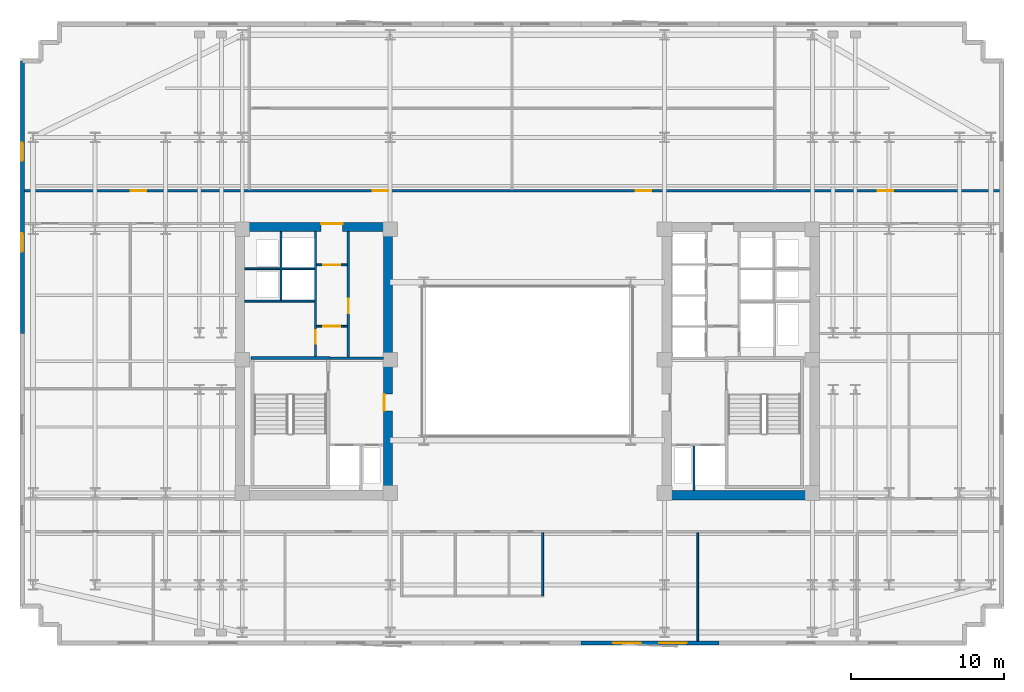
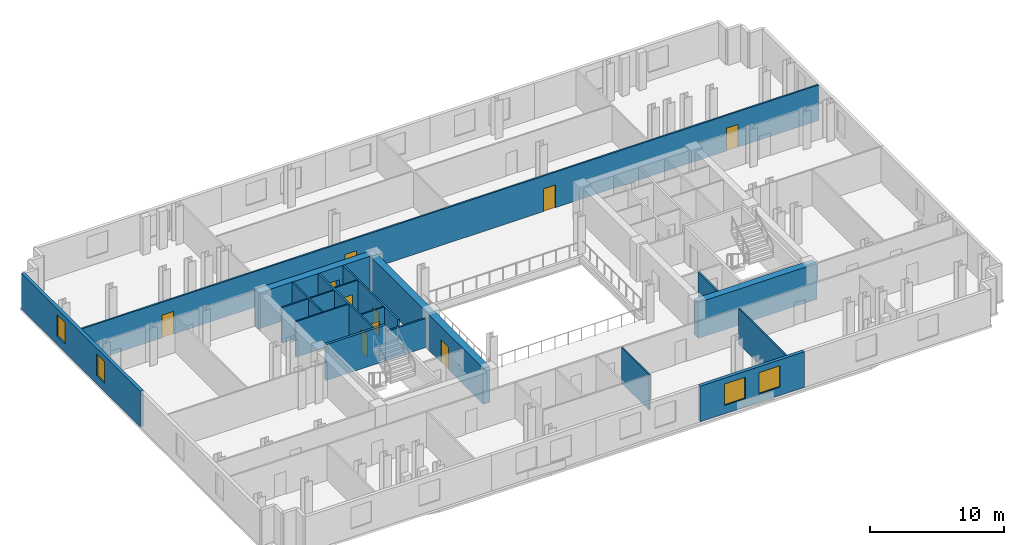
# One storey, part 5 of 10: 19 walls, 10 doors, 4 windows, 14 openings.
"""IFC4 building model written with IfcOpenShell, lengths in metres."""

import ifcopenshell
import ifcopenshell.guid

model = None  # the IFC model being written
_history = None  # IfcOwnerHistory: only IFC2X3 demands one
_inside = {}  # id of a spatial element -> (the spatial element, [elements in it])
_under = {}  # id of a project, library or spatial element -> (it, [spatial elements below it])
_declared = {}  # id of a project -> (the project, [libraries it declares])
_typed = {}  # id of a type object -> (the type object, [elements of that type])
_made_of = {}  # id of a material, layer set ... -> (it, [elements and type objects made of it])


def new_model(schema):
    """Start an empty IFC model of exactly this schema.

    Asked for "IFC4X3", IfcOpenShell would pick the latest addendum, in which some entities
    have other attributes; the version numbers below select the first issue.
    IFC2X3 requires an IfcOwnerHistory on every rooted entity: one is made here for all.
    """
    global model, _history
    if schema == "IFC4X3":
        model = ifcopenshell.file(schema_version=(4, 3, 0, 0))
    else:
        model = ifcopenshell.file(schema=schema)
    _inside.clear()
    _under.clear()
    _declared.clear()
    _typed.clear()
    _made_of.clear()
    _history = None
    if model.schema == "IFC2X3":
        org = make("IfcOrganization", Name="unknown")
        user = make(
            "IfcPersonAndOrganization",
            ThePerson=make("IfcPerson", FamilyName="unknown"),
            TheOrganization=org,
        )
        app = make(
            "IfcApplication",
            ApplicationDeveloper=org,
            Version="unknown",
            ApplicationFullName="unknown",
            ApplicationIdentifier="unknown",
        )
        _history = make(
            "IfcOwnerHistory",
            OwningUser=user,
            OwningApplication=app,
            ChangeAction="ADDED",
            CreationDate=0,
        )
    return model


def make(cls, **values):
    """One entity of the class cls with the attributes given. An attribute that is None is left unset."""
    return model.create_entity(
        cls, **{name: value for name, value in values.items() if value is not None}
    )


def rooted(cls, **values):
    """An entity with a GlobalId (a new one), such as an element, a storey or a relation."""
    return make(cls, GlobalId=ifcopenshell.guid.new(), OwnerHistory=_history, **values)


def si_unit(unit_type, name, prefix=None):
    """IfcSIUnit, for example si_unit("LENGTHUNIT", "METRE", prefix="MILLI")."""
    return make("IfcSIUnit", UnitType=unit_type, Prefix=prefix, Name=name)


def assignment(units):
    """IfcUnitAssignment: the units of a project."""
    return None if units is None else make("IfcUnitAssignment", Units=units)


def point(xyz):
    """IfcCartesianPoint."""
    return None if xyz is None else make("IfcCartesianPoint", Coordinates=xyz)


def direction(xyz):
    """IfcDirection."""
    return None if xyz is None else make("IfcDirection", DirectionRatios=xyz)


def frame(location, z_axis=None, x_axis=None):
    """IfcAxis2Placement3D, a coordinate frame: its origin and axes. An axis left out is left unset."""
    return make(
        "IfcAxis2Placement3D",
        Location=point(location),
        Axis=direction(z_axis),
        RefDirection=direction(x_axis),
    )


def frame_2d(location, x_axis=None):
    """IfcAxis2Placement2D, a coordinate frame in the plane: its origin and x axis."""
    return make(
        "IfcAxis2Placement2D", Location=point(location), RefDirection=direction(x_axis)
    )


def origin():
    """The frame at (0, 0, 0) with its axes left unset."""
    return frame((0.0, 0.0, 0.0))


def place(relative_to, where):
    """IfcLocalPlacement: puts the frame where relative to a parent placement (None: the world)."""
    return make(
        "IfcLocalPlacement", PlacementRelTo=relative_to, RelativePlacement=where
    )


def context(
    kind, dimensions, precision=None, world=None, true_north=None, identifier=None
):
    """IfcGeometricRepresentationContext, for example the 3D "Model" context."""
    return make(
        "IfcGeometricRepresentationContext",
        ContextIdentifier=identifier,
        ContextType=kind,
        CoordinateSpaceDimension=dimensions,
        Precision=precision,
        WorldCoordinateSystem=world,
        TrueNorth=true_north,
    )


def subcontext(parent, identifier, kind, view, scale=None):
    """IfcGeometricRepresentationSubContext, for example "Body" below "Model"."""
    return make(
        "IfcGeometricRepresentationSubContext",
        ContextIdentifier=identifier,
        ContextType=kind,
        ParentContext=parent,
        TargetScale=scale,
        TargetView=view,
    )


def project(units=None, contexts=None):
    """IfcProject with its units and contexts."""
    return rooted(
        "IfcProject",
        Name="project",
        RepresentationContexts=contexts,
        UnitsInContext=assignment(units),
    )


def spatial(cls, under=None, at=None, **own):
    """A site, building, storey or space (cls), placed at a placement, below another one or the project."""
    s = rooted(cls, ObjectPlacement=at, **own)
    if under is not None:
        _under.setdefault(under.id(), (under, []))[1].append(s)
    return s


def profile(cls, at=None, kind="AREA", **sizes):
    """A parametric profile (cls). Its sizes go by their IFC names, for example OverallWidth=200.0."""
    return make(cls, ProfileType=kind, Position=at, **sizes)


def rectangle(**sizes):
    """IfcRectangleProfileDef."""
    return profile("IfcRectangleProfileDef", **sizes)


def extrude(swept, where, along, depth):
    """IfcExtrudedAreaSolid: the profile swept, set in the frame where, extruded along a direction by depth."""
    return make(
        "IfcExtrudedAreaSolid",
        SweptArea=swept,
        Position=where,
        ExtrudedDirection=direction(along),
        Depth=depth,
    )


def shape(context_of_items, identifier, shape_type, items):
    """IfcShapeRepresentation: the items that make up one representation, for example the "Body"."""
    return make(
        "IfcShapeRepresentation",
        ContextOfItems=context_of_items,
        RepresentationIdentifier=identifier,
        RepresentationType=shape_type,
        Items=items,
    )


def material(Name=None, Category=None):
    """IfcMaterial."""
    return make("IfcMaterial", Name=Name, Category=Category)


def layer(
    of_material, thickness, ventilated=None, Name=None, Category=None, Priority=None
):
    """IfcMaterialLayer: one layer of a wall or slab, of a material (None: an air gap)."""
    return make(
        "IfcMaterialLayer",
        Material=of_material,
        LayerThickness=thickness,
        IsVentilated=ventilated,
        Name=Name,
        Category=Category,
        Priority=Priority,
    )


def layer_set(layers, Name=None):
    """IfcMaterialLayerSet."""
    return make("IfcMaterialLayerSet", MaterialLayers=layers, LayerSetName=Name)


def made_of(thing, what):
    """Note that an element or type object is made of a material, layer set ...; save() writes the relation."""
    if what is not None:
        _made_of.setdefault(what.id(), (what, []))[1].append(thing)
    return thing


def type_object(cls, material=None, **own):
    """A type object (cls), such as IfcWallType, which elements share."""
    return made_of(rooted(cls, **own), material)


def element(
    cls,
    number,
    at=None,
    inside=None,
    cuts=None,
    type_object=None,
    material=None,
    context=None,
    identifier="Body",
    shape_type=None,
    held_by="IfcProductDefinitionShape",
    body=None,
    shapes=None,
    **own,
):
    """One element of the class cls, such as IfcWall. Its Tag is "e" and its number.

    at: its placement. inside: the storey or other place that contains it. cuts: it is an
    opening in that element (IfcRelVoidsElement). A single representation is given by context,
    identifier, shape_type and body (its items); several are given by shapes. held_by: the class
    of the entity that holds the representations. save() writes the other relations.
    """
    e = rooted(cls, Tag="e%d" % number, ObjectPlacement=at, **own)
    if body is not None:
        shapes = [shape(context, identifier, shape_type, body)]
    if shapes is not None:
        e.Representation = make(held_by, Representations=shapes)
    if inside is not None:
        _inside.setdefault(inside.id(), (inside, []))[1].append(e)
    if cuts is not None:
        rooted(
            "IfcRelVoidsElement", RelatingBuildingElement=cuts, RelatedOpeningElement=e
        )
    if type_object is not None:
        _typed.setdefault(type_object.id(), (type_object, []))[1].append(e)
    return made_of(e, material)


def fill(opening, filler):
    """IfcRelFillsElement: the door or window that sits in an opening."""
    return rooted(
        "IfcRelFillsElement",
        RelatingOpeningElement=opening,
        RelatedBuildingElement=filler,
    )


def aggregate(whole, parts):
    """IfcRelAggregates: a whole, such as a stair, and the parts it consists of."""
    return rooted("IfcRelAggregates", RelatingObject=whole, RelatedObjects=parts)


def save(model, path):
    """Write the relations noted so far, then the file.

    IfcRelAggregates (storeys below a building ...), IfcRelContainedInSpatialStructure (elements
    in a storey), IfcRelDefinesByType, IfcRelAssociatesMaterial and IfcRelDeclares: one each for
    every whole, place, type object, material and project.
    """
    for whole, parts in _under.values():
        aggregate(whole, parts)
    for where, things in _inside.values():
        rooted(
            "IfcRelContainedInSpatialStructure",
            RelatedElements=things,
            RelatingStructure=where,
        )
    for kind, things in _typed.values():
        rooted("IfcRelDefinesByType", RelatedObjects=things, RelatingType=kind)
    for what, things in _made_of.values():
        rooted("IfcRelAssociatesMaterial", RelatedObjects=things, RelatingMaterial=what)
    for by, libraries in _declared.values():
        rooted("IfcRelDeclares", RelatingContext=by, RelatedDefinitions=libraries)
    model.write(path)


model = new_model("IFC4")

# Units and contexts
model_context = context("Model", 3, precision=1e-05, world=origin(), true_north=direction((0.0, 1.0)))
body_context = subcontext(model_context, "Body", "Model", "MODEL_VIEW")
ifc_project = project(units=[si_unit("LENGTHUNIT", "METRE"), si_unit("AREAUNIT", "SQUARE_METRE"), si_unit("VOLUMEUNIT", "CUBIC_METRE"), si_unit("PLANEANGLEUNIT", "RADIAN"), si_unit("MASSUNIT", "GRAM", prefix="KILO")], contexts=[model_context])

# Site, building, storey
site_placement = place(None, origin())
site = spatial("IfcSite", under=ifc_project, at=site_placement, CompositionType="ELEMENT")
building_placement = place(site_placement, origin())
building = spatial("IfcBuilding", under=site, at=building_placement, Name="Velakula Bourse", CompositionType="ELEMENT")
storey_placement = place(building_placement, frame((0.0, 0.0, 141.550048828125)))
storey = spatial("IfcBuildingStorey", under=building, at=storey_placement, Name="L38", CompositionType="ELEMENT", Elevation=141.550048828125)

# Wall
ifc_material_1 = material(Name="Concrete M50 (fck 50 MPa)", Category="concrete")
ifc_layer_1 = layer(ifc_material_1, 0.2099609375, Name="Concrete M50 (fck 50 MPa)", Category="concrete")
ifc_layer_set_1 = layer_set([ifc_layer_1], Name="Concrete M50 (fck 50 MPa)")
wall_type_1 = type_object("IfcWallType", Name="WL-CORE-210", PredefinedType="SHEAR", material=ifc_layer_set_1)
wall_1_placement = place(storey_placement, frame((-12.889892578125, 0.205078125, 0.0), z_axis=(0.0, 0.0, 1.0), x_axis=(-1.0, 0.0, 0.0)))
element("IfcWall", 1, at=wall_1_placement, inside=storey, type_object=wall_type_1, Name="L38 Core W Stairwell Shear Wall N", PredefinedType="SHEAR", context=body_context, shape_type="SweptSolid", body=[
    extrude(rectangle(XDim=5.14013671875, YDim=0.2099609375, at=frame_2d((2.570068359375, 0.0))), origin(), (0.0, 0.0, 1.0), 3.27001953125),
])

# Wall, opening, door
ifc_material_2 = material(Name="Concrete M70 (fck 70 MPa)", Category="concrete")
ifc_layer_2 = layer(ifc_material_2, 0.60009765625, Name="Concrete M70 (fck 70 MPa)", Category="concrete")
ifc_layer_set_2 = layer_set([ifc_layer_2], Name="Concrete M70 (fck 70 MPa)")
wall_type_2 = type_object("IfcWallType", Name="WL-CORE-600", PredefinedType="SHEAR", material=ifc_layer_set_2)
wall_2_placement = place(storey_placement, frame((-19.050048828125, 8.75, 0.0), z_axis=(0.0, 0.0, 1.0), x_axis=(1.0, 0.0, 0.0)))
wall_2 = element("IfcWall", 2, at=wall_2_placement, inside=storey, type_object=wall_type_2, Name="L38 Core W Shear Wall N", PredefinedType="SHEAR", context=body_context, shape_type="SweptSolid", body=[
    extrude(rectangle(XDim=10.25, YDim=0.60009765625, at=frame_2d((5.125, 0.0))), origin(), (0.0, 0.0, 1.0), 3.27001953125),
])
opening_1_placement = place(wall_2_placement, frame((5.60009765625, 0.0, 0.0)))
opening_1 = element("IfcOpeningElement", 3, at=opening_1_placement, cuts=wall_2, Name="Opening D-LLW", PredefinedType="OPENING", context=body_context, shape_type="SweptSolid", body=[
    extrude(rectangle(XDim=1.39990234375, YDim=2.050048828125, at=frame_2d((0.699951171875, 1.02490234375))), frame((0.0, 0.31005859375, 0.0), z_axis=(0.0, -1.0, 0.0), x_axis=(1.0, 0.0, 0.0)), (0.0, 0.0, 1.0), 0.6201171875),
])
ifc_material_3 = material(Name="Fire-rated hardwood flush architectural door", Category="wood")
door_type_1 = type_object("IfcDoorType", Name="DR-DBL-FD60-1400", OperationType="DOUBLE_DOOR_SINGLE_SWING", PredefinedType="DOOR", material=ifc_material_3)
door_1_placement = place(opening_1_placement, origin())
door_1 = element("IfcDoor", 4, at=door_1_placement, inside=storey, type_object=door_type_1, Name="L38 Core W Lift Lobby Corridor Double Door", OperationType="DOUBLE_DOOR_SINGLE_SWING", OverallHeight=2.050048828125, OverallWidth=1.39990234375, PredefinedType="DOOR", context=body_context, shape_type="SweptSolid", body=[
    extrude(rectangle(XDim=1.39990234375, YDim=2.050048828125, at=frame_2d((0.699951171875, 1.02490234375))), frame((0.0, 0.2451171875, 0.0), z_axis=(0.0, -1.0, 0.0), x_axis=(1.0, 0.0, 0.0)), (0.0, 0.0, 1.0), 0.050048828125),
])
fill(opening_1, door_1)

wall_3_placement = place(storey_placement, frame((-9.10009765625, -8.449951171875, 0.0), z_axis=(0.0, 0.0, 1.0), x_axis=(0.0, 1.0, 0.0)))
wall_3 = element("IfcWall", 5, at=wall_3_placement, inside=storey, type_object=wall_type_2, Name="L38 Core W Shear Wall E", PredefinedType="SHEAR", context=body_context, shape_type="SweptSolid", body=[
    extrude(rectangle(XDim=16.89990234375, YDim=0.60009765625, at=frame_2d((8.449951171875, 0.0))), origin(), (0.0, 0.0, 1.0), 3.27001953125),
])
opening_2_placement = place(wall_3_placement, frame((5.199951171875, 0.0, 0.0)))
opening_2 = element("IfcOpeningElement", 6, at=opening_2_placement, cuts=wall_3, Name="Opening D-FLW", PredefinedType="OPENING", context=body_context, shape_type="SweptSolid", body=[
    extrude(rectangle(XDim=1.10009765625, YDim=2.080078125, at=frame_2d((0.550048828125, 1.0400390625))), frame((0.0, 0.31005859375, 0.0), z_axis=(0.0, -1.0, 0.0), x_axis=(1.0, 0.0, 0.0)), (0.0, 0.0, 1.0), 0.6201171875),
])
ifc_material_4 = material(Name="Galvanised painted hollow steel fire door", Category="steel")
door_type_2 = type_object("IfcDoorType", Name="DR-FD120-1100", OperationType="NOTDEFINED", PredefinedType="DOOR", material=ifc_material_4)
door_2_placement = place(opening_2_placement, origin())
door_2 = element("IfcDoor", 7, at=door_2_placement, inside=storey, type_object=door_type_2, Name="L38 Firefighting Lobby W Corridor Fire Door", OperationType="SINGLE_SWING_LEFT", OverallHeight=2.080078125, OverallWidth=1.10009765625, PredefinedType="DOOR", context=body_context, shape_type="SweptSolid", body=[
    extrude(rectangle(XDim=1.10009765625, YDim=2.080078125, at=frame_2d((0.550048828125, 1.0400390625))), frame((0.0, 0.2548828125, 0.0), z_axis=(0.0, -1.0, 0.0), x_axis=(1.0, 0.0, 0.0)), (0.0, 0.0, 1.0), 0.050048828125),
])
fill(opening_2, door_2)

# Wall
wall_4_placement = place(storey_placement, frame((8.800048828125, -8.75, 0.0), z_axis=(0.0, 0.0, 1.0), x_axis=(1.0, 0.0, 0.0)))
element("IfcWall", 8, at=wall_4_placement, inside=storey, type_object=wall_type_2, Name="L38 Core E Shear Wall S", PredefinedType="SHEAR", context=body_context, shape_type="SweptSolid", body=[
    extrude(rectangle(XDim=10.25, YDim=0.60009765625, at=frame_2d((5.125, 0.0))), origin(), (0.0, 0.0, 1.0), 3.27001953125),
])

# Wall, openings, windows
ifc_material_5 = material(Name="Red kilned clay facing brick masonry", Category="masonry")
ifc_layer_3 = layer(ifc_material_5, 0.280029296875, Name="Red kilned clay facing brick masonry", Category="masonry")
ifc_layer_set_3 = layer_set([ifc_layer_3], Name="Red kilned clay facing brick masonry")
wall_type_3 = type_object("IfcWallType", Name="WL-EXT-BRK-280", PredefinedType="STANDARD", material=ifc_layer_set_3)
wall_5_placement = place(storey_placement, frame((12.5, -18.389892578125, 0.0), z_axis=(0.0, 0.0, 1.0), x_axis=(-1.0, 0.0, 0.0)))
wall_5 = element("IfcWall", 9, at=wall_5_placement, inside=storey, type_object=wall_type_3, Name="L38 S Brick Spandrel Wall B4", PredefinedType="STANDARD", context=body_context, shape_type="SweptSolid", body=[
    extrude(rectangle(XDim=9.0, YDim=0.280029296875, at=frame_2d((4.5, 0.0))), origin(), (0.0, 0.0, 1.0), 3.25),
])
opening_3_placement = place(wall_5_placement, frame((2.10009765625, 0.0, 0.760009765625)))
opening_3 = element("IfcOpeningElement", 10, at=opening_3_placement, cuts=wall_5, Name="Opening W-01", PredefinedType="OPENING", context=body_context, shape_type="SweptSolid", body=[
    extrude(rectangle(XDim=1.800048828125, YDim=1.949951171875, at=frame_2d((0.89990234375, 0.97509765625))), frame((0.0, 0.14990234375, 0.0), z_axis=(0.0, -1.0, 0.0), x_axis=(1.0, 0.0, 0.0)), (0.0, 0.0, 1.0), 0.300048828125),
])
opening_4_placement = place(wall_5_placement, frame((5.10009765625, 0.0, 0.760009765625)))
opening_4 = element("IfcOpeningElement", 11, at=opening_4_placement, cuts=wall_5, Name="Opening W-01", PredefinedType="OPENING", context=body_context, shape_type="SweptSolid", body=[
    extrude(rectangle(XDim=1.800048828125, YDim=1.949951171875, at=frame_2d((0.89990234375, 0.97509765625))), frame((0.0, 0.14990234375, 0.0), z_axis=(0.0, -1.0, 0.0), x_axis=(1.0, 0.0, 0.0)), (0.0, 0.0, 1.0), 0.300048828125),
])
ifc_material_6 = material(Name="Double-glazed solar-control Low-E glass", Category="glass")
window_type_1 = type_object("IfcWindowType", Name="WIN-TWR-1800x2100", PartitioningType="SINGLE_PANEL", PredefinedType="WINDOW", material=ifc_material_6)
window_1_placement = place(opening_3_placement, origin())
window_1 = element("IfcWindow", 12, at=window_1_placement, inside=storey, type_object=window_type_1, Name="L38 Deep-Set Recessed Window 1", OverallHeight=1.949951171875, OverallWidth=1.800048828125, PartitioningType="SINGLE_PANEL", PredefinedType="WINDOW", context=body_context, shape_type="SweptSolid", body=[
    extrude(rectangle(XDim=1.800048828125, YDim=1.949951171875, at=frame_2d((0.89990234375, 0.97509765625))), frame((0.0, 0.030029296875, 0.0), z_axis=(0.0, -1.0, 0.0), x_axis=(1.0, 0.0, 0.0)), (0.0, 0.0, 1.0), 0.06005859375),
])
fill(opening_3, window_1)
window_2_placement = place(opening_4_placement, origin())
window_2 = element("IfcWindow", 13, at=window_2_placement, inside=storey, type_object=window_type_1, Name="L38 Deep-Set Recessed Window 2", OverallHeight=1.949951171875, OverallWidth=1.800048828125, PartitioningType="SINGLE_PANEL", PredefinedType="WINDOW", context=body_context, shape_type="SweptSolid", body=[
    extrude(rectangle(XDim=1.800048828125, YDim=1.949951171875, at=frame_2d((0.89990234375, 0.97509765625))), frame((0.0, 0.030029296875, 0.0), z_axis=(0.0, -1.0, 0.0), x_axis=(1.0, 0.0, 0.0)), (0.0, 0.0, 1.0), 0.06005859375),
])
fill(opening_4, window_2)

wall_6_placement = place(storey_placement, frame((-32.93994140625, 1.800048828125, 0.0), z_axis=(0.0, 0.0, 1.0), x_axis=(0.0, 1.0, 0.0)))
wall_6 = element("IfcWall", 14, at=wall_6_placement, inside=storey, type_object=wall_type_3, Name="L38 W Brick End Wall W2", PredefinedType="STANDARD", context=body_context, shape_type="SweptSolid", body=[
    extrude(rectangle(XDim=17.7900390625, YDim=0.280029296875, at=frame_2d((8.89501953125, 0.0))), origin(), (0.0, 0.0, 1.0), 3.25),
])
opening_5_placement = place(wall_6_placement, frame((5.330078125, 0.0, 0.760009765625)))
opening_5 = element("IfcOpeningElement", 15, at=opening_5_placement, cuts=wall_6, Name="Opening W-04", PredefinedType="OPENING", context=body_context, shape_type="SweptSolid", body=[
    extrude(rectangle(XDim=1.199951171875, YDim=1.949951171875, at=frame_2d((0.60009765625, 0.97509765625))), frame((0.0, 0.14990234375, 0.0), z_axis=(0.0, -1.0, 0.0), x_axis=(1.0, 0.0, 0.0)), (0.0, 0.0, 1.0), 0.300048828125),
])
opening_6_placement = place(wall_6_placement, frame((11.260009765625, 0.0, 0.760009765625)))
opening_6 = element("IfcOpeningElement", 16, at=opening_6_placement, cuts=wall_6, Name="Opening W-04", PredefinedType="OPENING", context=body_context, shape_type="SweptSolid", body=[
    extrude(rectangle(XDim=1.199951171875, YDim=1.949951171875, at=frame_2d((0.60009765625, 0.97509765625))), frame((0.0, 0.14990234375, 0.0), z_axis=(0.0, -1.0, 0.0), x_axis=(1.0, 0.0, 0.0)), (0.0, 0.0, 1.0), 0.300048828125),
])
window_type_2 = type_object("IfcWindowType", Name="WIN-TWR-1200x2100", PartitioningType="SINGLE_PANEL", PredefinedType="WINDOW", material=ifc_material_6)
window_3_placement = place(opening_5_placement, origin())
window_3 = element("IfcWindow", 17, at=window_3_placement, inside=storey, type_object=window_type_2, Name="L38 Deep-Set Recessed Window 1", OverallHeight=1.949951171875, OverallWidth=1.199951171875, PartitioningType="SINGLE_PANEL", PredefinedType="WINDOW", context=body_context, shape_type="SweptSolid", body=[
    extrude(rectangle(XDim=1.199951171875, YDim=1.949951171875, at=frame_2d((0.60009765625, 0.97509765625))), frame((0.0, 0.030029296875, 0.0), z_axis=(0.0, -1.0, 0.0), x_axis=(1.0, 0.0, 0.0)), (0.0, 0.0, 1.0), 0.06005859375),
])
fill(opening_5, window_3)
window_4_placement = place(opening_6_placement, origin())
window_4 = element("IfcWindow", 18, at=window_4_placement, inside=storey, type_object=window_type_2, Name="L38 Deep-Set Recessed Window 2", OverallHeight=1.949951171875, OverallWidth=1.199951171875, PartitioningType="SINGLE_PANEL", PredefinedType="WINDOW", context=body_context, shape_type="SweptSolid", body=[
    extrude(rectangle(XDim=1.199951171875, YDim=1.949951171875, at=frame_2d((0.60009765625, 0.97509765625))), frame((0.0, 0.030029296875, 0.0), z_axis=(0.0, -1.0, 0.0), x_axis=(1.0, 0.0, 0.0)), (0.0, 0.0, 1.0), 0.06005859375),
])
fill(opening_6, window_4)

# Wall, opening, door
ifc_material_7 = material(Name="Fire-rated double-layer gypsum drywall partition", Category="gypsum")
ifc_layer_4 = layer(ifc_material_7, 0.1201171875, Name="Fire-rated double-layer gypsum drywall partition", Category="gypsum")
ifc_layer_set_4 = layer_set([ifc_layer_4], Name="Fire-rated double-layer gypsum drywall partition")
wall_type_4 = type_object("IfcWallType", Name="WL-PART-120", PredefinedType="STANDARD", material=ifc_layer_set_4)
wall_7_placement = place(storey_placement, frame((-13.75, 2.280029296875, 0.0), z_axis=(0.0, 0.0, 1.0), x_axis=(1.0, 0.0, 0.0)))
wall_7 = element("IfcWall", 19, at=wall_7_placement, inside=storey, type_object=wall_type_4, Name="L38 Interior Partition WL-CRW-L38-LL-K3A", PredefinedType="STANDARD", context=body_context, shape_type="SweptSolid", body=[
    extrude(rectangle(XDim=2.0, YDim=0.1201171875, at=frame_2d((1.0, 0.0))), origin(), (0.0, 0.0, 1.0), 3.25),
])
opening_7_placement = place(wall_7_placement, frame((0.449951171875, 0.0, 0.0)))
opening_7 = element("IfcOpeningElement", 20, at=opening_7_placement, cuts=wall_7, Name="Opening D-LK3", PredefinedType="OPENING", context=body_context, shape_type="SweptSolid", body=[
    extrude(rectangle(XDim=1.10009765625, YDim=2.10009765625, at=frame_2d((0.550048828125, 1.050048828125))), frame((0.0, 0.070068359375, 0.0), z_axis=(0.0, -1.0, 0.0), x_axis=(1.0, 0.0, 0.0)), (0.0, 0.0, 1.0), 0.14013671875),
])
door_type_3 = type_object("IfcDoorType", Name="DR-FD60-1100x2100", OperationType="NOTDEFINED", PredefinedType="DOOR", material=ifc_material_3)
door_3_placement = place(opening_7_placement, origin())
door_3 = element("IfcDoor", 21, at=door_3_placement, inside=storey, type_object=door_type_3, Name="L38 Core W Lift Lobby Vestibule Door A", OperationType="SINGLE_SWING_RIGHT", OverallHeight=2.10009765625, OverallWidth=1.10009765625, PredefinedType="DOOR", context=body_context, shape_type="SweptSolid", body=[
    extrude(rectangle(XDim=1.10009765625, YDim=2.10009765625, at=frame_2d((0.550048828125, 1.050048828125))), frame((0.0, 0.02490234375, 0.0), z_axis=(0.0, -1.0, 0.0), x_axis=(1.0, 0.0, 0.0)), (0.0, 0.0, 1.0), 0.050048828125),
])
fill(opening_7, door_3)

wall_8_placement = place(storey_placement, frame((-13.75, 6.280029296875, 0.0), z_axis=(0.0, 0.0, 1.0), x_axis=(1.0, 0.0, 0.0)))
wall_8 = element("IfcWall", 22, at=wall_8_placement, inside=storey, type_object=wall_type_4, Name="L38 Interior Partition WL-CRW-L38-LL-K3B", PredefinedType="STANDARD", context=body_context, shape_type="SweptSolid", body=[
    extrude(rectangle(XDim=2.0, YDim=0.1201171875, at=frame_2d((1.0, 0.0))), origin(), (0.0, 0.0, 1.0), 3.25),
])
opening_8_placement = place(wall_8_placement, frame((0.449951171875, 0.0, 0.0)))
opening_8 = element("IfcOpeningElement", 23, at=opening_8_placement, cuts=wall_8, Name="Opening D-LK3", PredefinedType="OPENING", context=body_context, shape_type="SweptSolid", body=[
    extrude(rectangle(XDim=1.10009765625, YDim=2.10009765625, at=frame_2d((0.550048828125, 1.050048828125))), frame((0.0, 0.070068359375, 0.0), z_axis=(0.0, -1.0, 0.0), x_axis=(1.0, 0.0, 0.0)), (0.0, 0.0, 1.0), 0.14013671875),
])
door_4_placement = place(opening_8_placement, origin())
door_4 = element("IfcDoor", 24, at=door_4_placement, inside=storey, type_object=door_type_3, Name="L38 Core W Lift Lobby Vestibule Door B", OperationType="SINGLE_SWING_RIGHT", OverallHeight=2.10009765625, OverallWidth=1.10009765625, PredefinedType="DOOR", context=body_context, shape_type="SweptSolid", body=[
    extrude(rectangle(XDim=1.10009765625, YDim=2.10009765625, at=frame_2d((0.550048828125, 1.050048828125))), frame((0.0, 0.02490234375, 0.0), z_axis=(0.0, -1.0, 0.0), x_axis=(1.0, 0.0, 0.0)), (0.0, 0.0, 1.0), 0.050048828125),
])
fill(opening_8, door_4)

# Walls
wall_9_placement = place(storey_placement, frame((-18.449951171875, 3.919921875, 0.0), z_axis=(0.0, 0.0, 1.0), x_axis=(1.0, 0.0, 0.0)))
element("IfcWall", 25, at=wall_9_placement, inside=storey, type_object=wall_type_4, Name="L38 Interior Partition WL-CRW-L38-HI-S", PredefinedType="STANDARD", context=body_context, shape_type="SweptSolid", body=[
    extrude(rectangle(XDim=4.550048828125, YDim=0.1201171875, at=frame_2d((2.27490234375, 0.0))), origin(), (0.0, 0.0, 1.0), 3.25),
])
wall_10_placement = place(storey_placement, frame((-18.449951171875, 6.030029296875, 0.0), z_axis=(0.0, 0.0, 1.0), x_axis=(1.0, 0.0, 0.0)))
element("IfcWall", 26, at=wall_10_placement, inside=storey, type_object=wall_type_4, Name="L38 Interior Partition WL-CRW-L38-RIS-MID", PredefinedType="STANDARD", context=body_context, shape_type="SweptSolid", body=[
    extrude(rectangle(XDim=2.300048828125, YDim=0.1201171875, at=frame_2d((1.14990234375, 0.0))), origin(), (0.0, 0.0, 1.0), 3.25),
])
wall_11_placement = place(storey_placement, frame((-16.074951171875, 3.97998046875, 0.0), z_axis=(0.0, 0.0, 1.0), x_axis=(0.0, 1.0, 0.0)))
element("IfcWall", 27, at=wall_11_placement, inside=storey, type_object=wall_type_4, Name="L38 Interior Partition WL-CRW-L38-RIS-F", PredefinedType="STANDARD", context=body_context, shape_type="SweptSolid", body=[
    extrude(rectangle(XDim=4.469970703125, YDim=0.1201171875, at=frame_2d((2.23486328125, 0.0))), origin(), (0.0, 0.0, 1.0), 3.25),
])
wall_12_placement = place(storey_placement, frame((-16.0, 6.030029296875, 0.0), z_axis=(0.0, 0.0, 1.0), x_axis=(1.0, 0.0, 0.0)))
element("IfcWall", 28, at=wall_12_placement, inside=storey, type_object=wall_type_4, Name="L38 Interior Partition WL-CRW-L38-HI-DIV", PredefinedType="STANDARD", context=body_context, shape_type="SweptSolid", body=[
    extrude(rectangle(XDim=2.10009765625, YDim=0.1201171875, at=frame_2d((1.050048828125, 0.0))), origin(), (0.0, 0.0, 1.0), 3.25),
])
wall_13_placement = place(storey_placement, frame((1.0, -15.320068359375, 0.0), z_axis=(0.0, 0.0, 1.0), x_axis=(0.0, 1.0, 0.0)))
element("IfcWall", 29, at=wall_13_placement, inside=storey, type_object=wall_type_4, Name="L38 Interior Partition WL-WC-L38-V4", PredefinedType="STANDARD", context=body_context, shape_type="SweptSolid", body=[
    extrude(rectangle(XDim=4.130126953125, YDim=0.1201171875, at=frame_2d((2.06494140625, 0.0))), origin(), (0.0, 0.0, 1.0), 3.25),
])
wall_14_placement = place(storey_placement, frame((11.117919921875, -18.27001953125, 0.0), z_axis=(0.0, 0.0, 1.0), x_axis=(0.0, 1.0, 0.0)))
element("IfcWall", 30, at=wall_14_placement, inside=storey, type_object=wall_type_4, Name="L38 Interior Partition WL-INT-L38-SR-D7", PredefinedType="STANDARD", context=body_context, shape_type="SweptSolid", body=[
    extrude(rectangle(XDim=7.080078125, YDim=0.1201171875, at=frame_2d((3.5400390625, 0.0))), origin(), (0.0, 0.0, 1.0), 3.25),
])

# Wall, openings, doors
ifc_layer_5 = layer(ifc_material_7, 0.139892578125, Name="Fire-rated double-layer gypsum drywall partition", Category="gypsum")
ifc_layer_set_5 = layer_set([ifc_layer_5], Name="Fire-rated double-layer gypsum drywall partition")
wall_type_5 = type_object("IfcWallType", Name="WL-PART-140", PredefinedType="STANDARD", material=ifc_layer_set_5)
wall_15_placement = place(storey_placement, frame((-32.820068359375, 11.1201171875, 0.0), z_axis=(0.0, 0.0, 1.0), x_axis=(1.0, 0.0, 0.0)))
wall_15 = element("IfcWall", 31, at=wall_15_placement, inside=storey, type_object=wall_type_5, Name="L38 Interior Partition WL-INT-L38-N-CORR", PredefinedType="STANDARD", context=body_context, shape_type="SweptSolid", body=[
    extrude(rectangle(XDim=63.64013671875, YDim=0.139892578125, at=frame_2d((31.820068359375, 0.0))), origin(), (0.0, 0.0, 1.0), 3.25),
])
opening_9_placement = place(wall_15_placement, frame((6.9609375, 0.0, 0.0)))
opening_9 = element("IfcOpeningElement", 32, at=opening_9_placement, cuts=wall_15, Name="Opening D-OF1", PredefinedType="OPENING", context=body_context, shape_type="SweptSolid", body=[
    extrude(rectangle(XDim=1.0, YDim=2.080078125, at=frame_2d((0.5, 1.0400390625))), frame((0.0, 0.079833984375, 0.0), z_axis=(0.0, -1.0, 0.0), x_axis=(1.0, 0.0, 0.0)), (0.0, 0.0, 1.0), 0.159912109375),
])
opening_10_placement = place(wall_15_placement, frame((22.7451171875, 0.0, 0.0)))
opening_10 = element("IfcOpeningElement", 33, at=opening_10_placement, cuts=wall_15, Name="Opening D-OF1", PredefinedType="OPENING", context=body_context, shape_type="SweptSolid", body=[
    extrude(rectangle(XDim=1.0, YDim=2.080078125, at=frame_2d((0.5, 1.0400390625))), frame((0.0, 0.079833984375, 0.0), z_axis=(0.0, -1.0, 0.0), x_axis=(1.0, 0.0, 0.0)), (0.0, 0.0, 1.0), 0.159912109375),
])
opening_11_placement = place(wall_15_placement, frame((39.89501953125, 0.0, 0.0)))
opening_11 = element("IfcOpeningElement", 34, at=opening_11_placement, cuts=wall_15, Name="Opening D-OF1", PredefinedType="OPENING", context=body_context, shape_type="SweptSolid", body=[
    extrude(rectangle(XDim=1.0, YDim=2.080078125, at=frame_2d((0.5, 1.0400390625))), frame((0.0, 0.079833984375, 0.0), z_axis=(0.0, -1.0, 0.0), x_axis=(1.0, 0.0, 0.0)), (0.0, 0.0, 1.0), 0.159912109375),
])
opening_12_placement = place(wall_15_placement, frame((55.678955078125, 0.0, 0.0)))
opening_12 = element("IfcOpeningElement", 35, at=opening_12_placement, cuts=wall_15, Name="Opening D-OF1", PredefinedType="OPENING", context=body_context, shape_type="SweptSolid", body=[
    extrude(rectangle(XDim=1.0, YDim=2.080078125, at=frame_2d((0.5, 1.0400390625))), frame((0.0, 0.079833984375, 0.0), z_axis=(0.0, -1.0, 0.0), x_axis=(1.0, 0.0, 0.0)), (0.0, 0.0, 1.0), 0.159912109375),
])
door_type_4 = type_object("IfcDoorType", Name="DR-OFF-1000", OperationType="NOTDEFINED", PredefinedType="DOOR", material=ifc_material_3)
door_5_placement = place(opening_9_placement, origin())
door_5 = element("IfcDoor", 36, at=door_5_placement, inside=storey, type_object=door_type_4, Name="L38 Green-Bond Carbon Exchange Workspace Door", OperationType="SINGLE_SWING_LEFT", OverallHeight=2.080078125, OverallWidth=1.0, PredefinedType="DOOR", context=body_context, shape_type="SweptSolid", body=[
    extrude(rectangle(XDim=1.0, YDim=2.080078125, at=frame_2d((0.5, 1.0400390625))), frame((0.0, 0.02490234375, 0.0), z_axis=(0.0, -1.0, 0.0), x_axis=(1.0, 0.0, 0.0)), (0.0, 0.0, 1.0), 0.050048828125),
])
fill(opening_9, door_5)
door_6_placement = place(opening_10_placement, origin())
door_6 = element("IfcDoor", 37, at=door_6_placement, inside=storey, type_object=door_type_4, Name="L38 Disciplinary Hearing Room Door", OperationType="SINGLE_SWING_RIGHT", OverallHeight=2.080078125, OverallWidth=1.0, PredefinedType="DOOR", context=body_context, shape_type="SweptSolid", body=[
    extrude(rectangle(XDim=1.0, YDim=2.080078125, at=frame_2d((0.5, 1.0400390625))), frame((0.0, 0.02490234375, 0.0), z_axis=(0.0, -1.0, 0.0), x_axis=(1.0, 0.0, 0.0)), (0.0, 0.0, 1.0), 0.050048828125),
])
fill(opening_10, door_6)
door_7_placement = place(opening_11_placement, origin())
door_7 = element("IfcDoor", 38, at=door_7_placement, inside=storey, type_object=door_type_4, Name="L38 Clearing Committee Room Door", OperationType="SINGLE_SWING_RIGHT", OverallHeight=2.080078125, OverallWidth=1.0, PredefinedType="DOOR", context=body_context, shape_type="SweptSolid", body=[
    extrude(rectangle(XDim=1.0, YDim=2.080078125, at=frame_2d((0.5, 1.0400390625))), frame((0.0, 0.02490234375, 0.0), z_axis=(0.0, -1.0, 0.0), x_axis=(1.0, 0.0, 0.0)), (0.0, 0.0, 1.0), 0.050048828125),
])
fill(opening_11, door_7)
door_8_placement = place(opening_12_placement, origin())
door_8 = element("IfcDoor", 39, at=door_8_placement, inside=storey, type_object=door_type_4, Name="L38 Members Dining Lounge Door", OperationType="SINGLE_SWING_RIGHT", OverallHeight=2.080078125, OverallWidth=1.0, PredefinedType="DOOR", context=body_context, shape_type="SweptSolid", body=[
    extrude(rectangle(XDim=1.0, YDim=2.080078125, at=frame_2d((0.5, 1.0400390625))), frame((0.0, 0.02490234375, 0.0), z_axis=(0.0, -1.0, 0.0), x_axis=(1.0, 0.0, 0.0)), (0.0, 0.0, 1.0), 0.050048828125),
])
fill(opening_12, door_8)

# Wall
ifc_material_8 = material(Name="Autoclaved aerated concrete blockwork masonry", Category="masonry")
ifc_layer_6 = layer(ifc_material_8, 0.14990234375, Name="Autoclaved aerated concrete blockwork masonry", Category="masonry")
ifc_layer_set_6 = layer_set([ifc_layer_6], Name="Autoclaved aerated concrete blockwork masonry")
wall_type_6 = type_object("IfcWallType", Name="WL-SHAFT-150", PredefinedType="STANDARD", material=ifc_layer_set_6)
wall_16_placement = place(storey_placement, frame((-12.889892578125, 0.18994140625, 0.0), z_axis=(0.0, 0.0, 1.0), x_axis=(1.0, 0.0, 0.0)))
element("IfcWall", 40, at=wall_16_placement, inside=storey, type_object=wall_type_6, Name="L38 Interior Partition WL-CRW-L38-FF-TOP", PredefinedType="STANDARD", context=body_context, shape_type="SweptSolid", body=[
    extrude(rectangle(XDim=3.489990234375, YDim=0.14990234375, at=frame_2d((1.7451171875, 0.0))), origin(), (0.0, 0.0, 1.0), 2.64501953125),
])

# Wall, opening, door
wall_17_placement = place(storey_placement, frame((-11.675048828125, 0.27001953125, 0.0), z_axis=(0.0, 0.0, 1.0), x_axis=(0.0, 1.0, 0.0)))
wall_17 = element("IfcWall", 41, at=wall_17_placement, inside=storey, type_object=wall_type_6, Name="L38 Interior Partition WL-CRW-L38-BANK-F", PredefinedType="STANDARD", context=body_context, shape_type="SweptSolid", body=[
    extrude(rectangle(XDim=8.179931640625, YDim=0.14990234375, at=frame_2d((4.08984375, 0.0))), origin(), (0.0, 0.0, 1.0), 3.25),
])
opening_13_placement = place(wall_17_placement, frame((2.85009765625, 0.0, 0.0)))
opening_13 = element("IfcOpeningElement", 42, at=opening_13_placement, cuts=wall_17, Name="Opening D-RC4", PredefinedType="OPENING", context=body_context, shape_type="SweptSolid", body=[
    extrude(rectangle(XDim=0.949951171875, YDim=2.050048828125, at=frame_2d((0.47509765625, 1.02490234375))), frame((0.0, 0.0849609375, 0.0), z_axis=(0.0, -1.0, 0.0), x_axis=(1.0, 0.0, 0.0)), (0.0, 0.0, 1.0), 0.169921875),
])
door_type_5 = type_object("IfcDoorType", Name="DR-FD60-950x2050", OperationType="NOTDEFINED", PredefinedType="DOOR", material=ifc_material_3)
door_9_placement = place(opening_13_placement, origin())
door_9 = element("IfcDoor", 43, at=door_9_placement, inside=storey, type_object=door_type_5, Name="L38 Reclaimed Multi-Bay Archive Room Door", OperationType="SINGLE_SWING_RIGHT", OverallHeight=2.050048828125, OverallWidth=0.949951171875, PredefinedType="DOOR", context=body_context, shape_type="SweptSolid", body=[
    extrude(rectangle(XDim=0.949951171875, YDim=2.050048828125, at=frame_2d((0.47509765625, 1.02490234375))), frame((0.0, 0.02490234375, 0.0), z_axis=(0.0, -1.0, 0.0), x_axis=(1.0, 0.0, 0.0)), (0.0, 0.0, 1.0), 0.050048828125),
])
fill(opening_13, door_9)

wall_18_placement = place(storey_placement, frame((-13.824951171875, 0.27001953125, 0.0), z_axis=(0.0, 0.0, 1.0), x_axis=(0.0, 1.0, 0.0)))
wall_18 = element("IfcWall", 44, at=wall_18_placement, inside=storey, type_object=wall_type_6, Name="L38 Interior Partition WL-CRW-L38-OUT-F", PredefinedType="STANDARD", context=body_context, shape_type="SweptSolid", body=[
    extrude(rectangle(XDim=8.179931640625, YDim=0.14990234375, at=frame_2d((4.08984375, 0.0))), origin(), (0.0, 0.0, 1.0), 3.25),
])
opening_14_placement = place(wall_18_placement, frame((0.85009765625, 0.0, 0.0)))
opening_14 = element("IfcOpeningElement", 45, at=opening_14_placement, cuts=wall_18, Name="Opening D-CR3", PredefinedType="OPENING", context=body_context, shape_type="SweptSolid", body=[
    extrude(rectangle(XDim=0.89990234375, YDim=2.050048828125, at=frame_2d((0.449951171875, 1.02490234375))), frame((0.0, 0.0849609375, 0.0), z_axis=(0.0, -1.0, 0.0), x_axis=(1.0, 0.0, 0.0)), (0.0, 0.0, 1.0), 0.169921875),
])
door_type_6 = type_object("IfcDoorType", Name="DR-INT-900", OperationType="NOTDEFINED", PredefinedType="DOOR", material=ifc_material_3)
door_10_placement = place(opening_14_placement, origin())
door_10 = element("IfcDoor", 46, at=door_10_placement, inside=storey, type_object=door_type_6, Name="L38 Core Stationery and Mail Room Door", OperationType="SINGLE_SWING_RIGHT", OverallHeight=2.050048828125, OverallWidth=0.89990234375, PredefinedType="DOOR", context=body_context, shape_type="SweptSolid", body=[
    extrude(rectangle(XDim=0.89990234375, YDim=2.050048828125, at=frame_2d((0.449951171875, 1.02490234375))), frame((0.0, 0.02490234375, 0.0), z_axis=(0.0, -1.0, 0.0), x_axis=(1.0, 0.0, 0.0)), (0.0, 0.0, 1.0), 0.050048828125),
])
fill(opening_14, door_10)

# Wall
wall_19_placement = place(storey_placement, frame((10.875, -8.449951171875, 0.0), z_axis=(0.0, 0.0, 1.0), x_axis=(0.0, 1.0, 0.0)))
element("IfcWall", 47, at=wall_19_placement, inside=storey, type_object=wall_type_6, Name="L38 Interior Partition WL-CRE-L38-FR-DIV", PredefinedType="STANDARD", context=body_context, shape_type="SweptSolid", body=[
    extrude(rectangle(XDim=2.89990234375, YDim=0.14990234375, at=frame_2d((1.449951171875, 0.0))), origin(), (0.0, 0.0, 1.0), 3.25),
])

save(model, "model.ifc")
